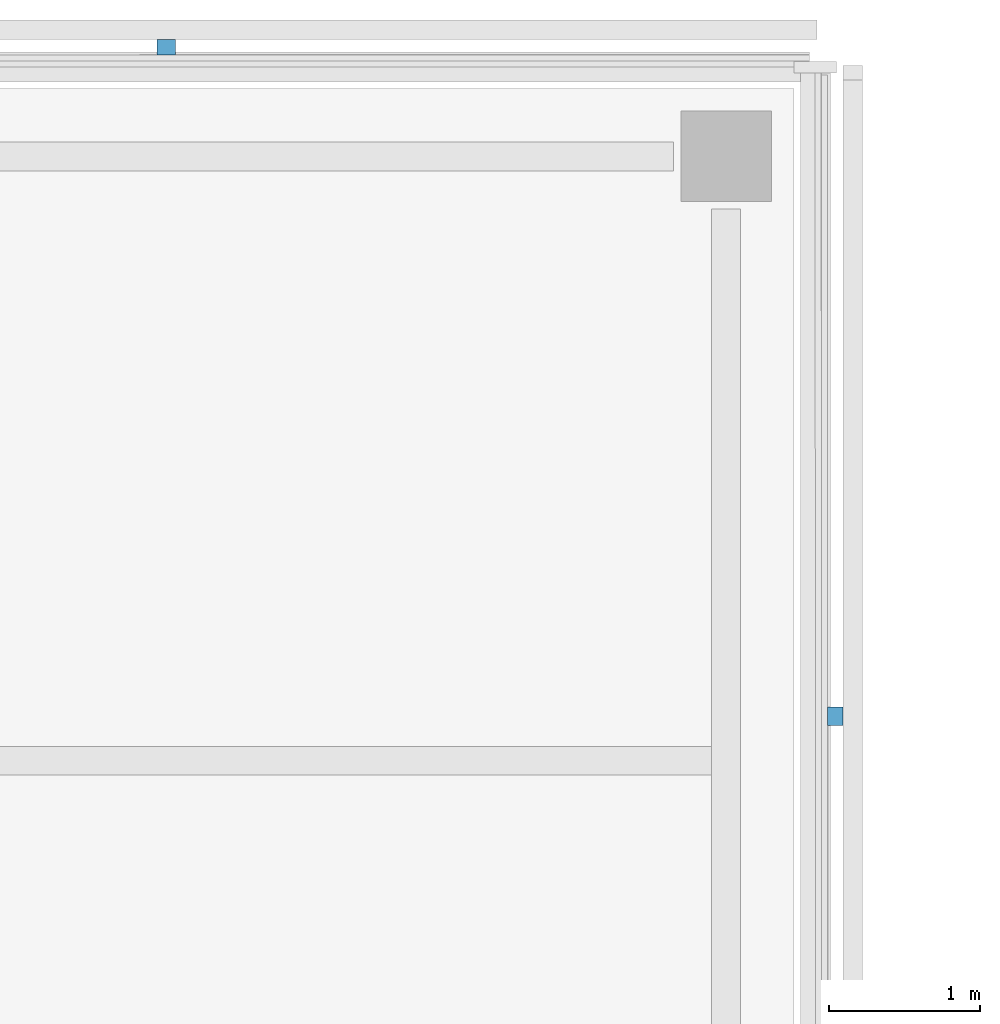
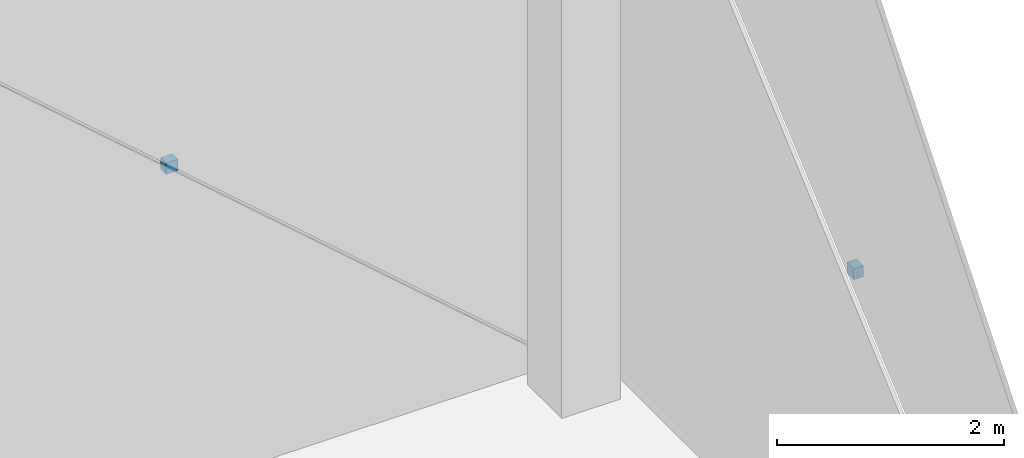
# One storey, part 17 of 20: 2 discrete accessories.
"""IFC4 building model written with IfcOpenShell, lengths in metres."""

from ifc_helpers import new_model, si_unit, direction, frame, origin, origin_2d, place, context, subcontext, project, spatial, rectangle, extrude, material, type_object, element, save


model = new_model("IFC4")

# Units and contexts
model_context = context("Model", 3, precision=1e-05, world=origin(), true_north=direction((0.0, 1.0)))
body_context = subcontext(model_context, "Body", "Model", "MODEL_VIEW")
ifc_project = project(units=[si_unit("LENGTHUNIT", "METRE"), si_unit("AREAUNIT", "SQUARE_METRE"), si_unit("VOLUMEUNIT", "CUBIC_METRE"), si_unit("PLANEANGLEUNIT", "RADIAN"), si_unit("MASSUNIT", "GRAM", prefix="KILO")], contexts=[model_context])

# Site, building, storey
site_placement = place(None, origin())
site = spatial("IfcSite", under=ifc_project, at=site_placement, CompositionType="ELEMENT")
building_placement = place(site_placement, origin())
building = spatial("IfcBuilding", under=site, at=building_placement, Name="Crosswind Convention Tower", CompositionType="ELEMENT")
storey_placement = place(building_placement, frame((0.0, 0.0, 171.5)))
storey = spatial("IfcBuildingStorey", under=building, at=storey_placement, Name="L36", CompositionType="ELEMENT", Elevation=171.5)

# Discrete accessories
ifc_material = material(Name="Stainless steel", Category="steel")
discrete_accessory_type = type_object("IfcDiscreteAccessoryType", Name="BAGUETTE BRACKET BK4", PredefinedType="BRACKET", material=ifc_material)
for number, where, z_axis, x_axis, name in (
    (1, (137.721923828125, 124.294921875, 3.25244140625), (0.0, 0.0, 1.0), (0.0, 1.0, 0.0), "BK4 baguette bracket"),
    (2, (133.294921875, 128.721923828125, 3.25244140625), (0.0, 0.0, 1.0), (-1.0, 0.0, 0.0), "BK4 baguette bracket"),
):
    element("IfcDiscreteAccessory", number, at=place(storey_placement, frame(where, z_axis=z_axis, x_axis=x_axis)), inside=storey, type_object=discrete_accessory_type, Name=name, PredefinedType="BRACKET", context=body_context, shape_type="SweptSolid", body=[
        extrude(rectangle(XDim=0.1201171875, YDim=0.10009765625, at=origin_2d()), origin(), (0.0, 0.0, 1.0), 0.1201171875),
    ])

save(model, "model.ifc")
